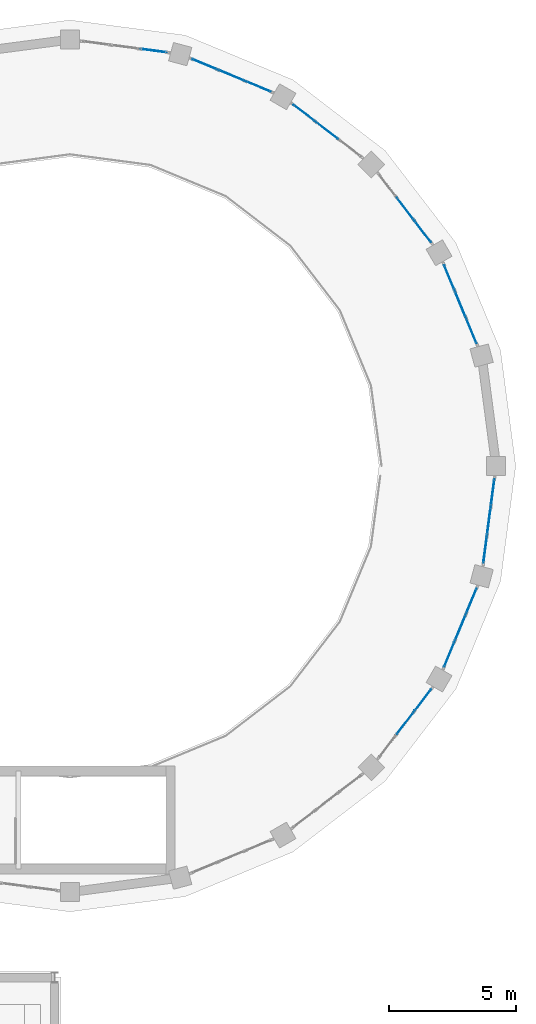
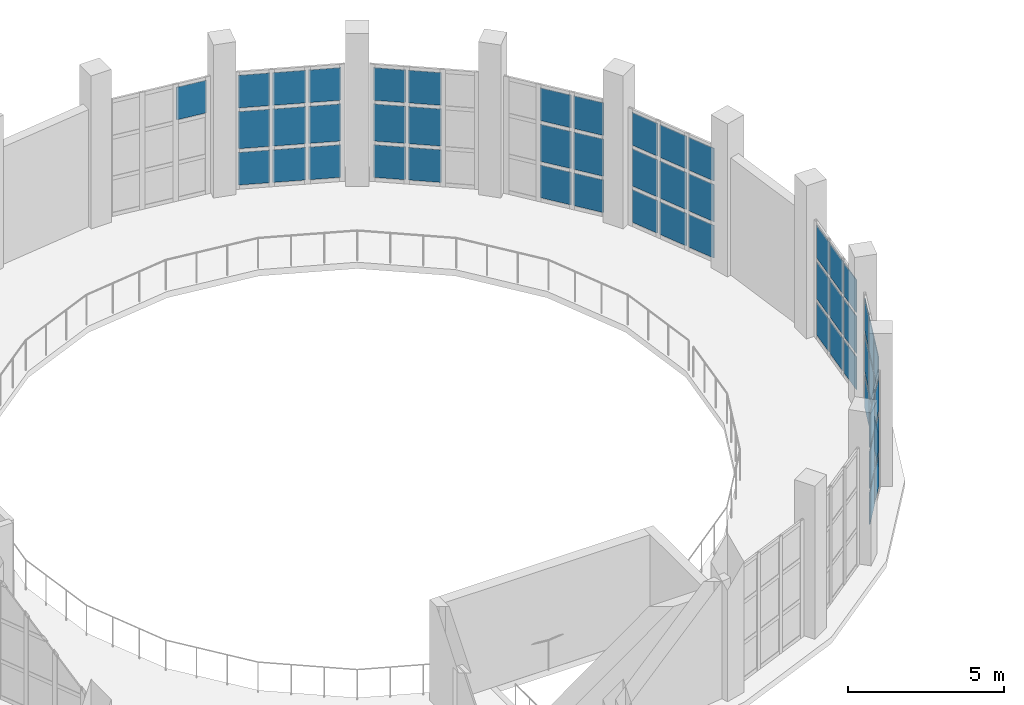
# One storey, part 39 of 59: 55 plates, 8 elements without a shape of their own.
"""IFC4 building model written with IfcOpenShell, lengths in metres."""

from ifc_helpers import new_model, si_unit, direction, frame, origin, origin_2d, place, context, subcontext, project, spatial, rectangle, extrude, material, layer, layer_set, type_object, element, aggregate, save


model = new_model("IFC4")

# Units and contexts
model_context = context("Model", 3, precision=1e-05, world=origin(), true_north=direction((0.0, 1.0)))
body_context = subcontext(model_context, "Body", "Model", "MODEL_VIEW")
ifc_project = project(units=[si_unit("LENGTHUNIT", "METRE"), si_unit("AREAUNIT", "SQUARE_METRE"), si_unit("VOLUMEUNIT", "CUBIC_METRE"), si_unit("PLANEANGLEUNIT", "RADIAN"), si_unit("MASSUNIT", "GRAM", prefix="KILO")], contexts=[model_context])

# Site, building, storey
site_placement = place(None, origin())
site = spatial("IfcSite", under=ifc_project, at=site_placement, CompositionType="ELEMENT")
building_placement = place(site_placement, origin())
building = spatial("IfcBuilding", under=site, at=building_placement, Name="Kandorven Conservatory and Botanical Research Centre", CompositionType="ELEMENT")
storey_placement = place(building_placement, frame((0.0, 0.0, 4.800048828125)))
storey = spatial("IfcBuildingStorey", under=building, at=storey_placement, Name="L01", CompositionType="ELEMENT", Elevation=4.800048828125)

# Curtain wall, plates
ifc_material_1 = material(Name="Bronze anodised thermally broken aluminium", Category="aluminium")
ifc_layer_1 = layer(ifc_material_1, 0.179931640625)
ifc_layer_set_1 = layer_set([ifc_layer_1], Name="Bronze anodised thermally broken aluminium")
curtain_wall_type = type_object("IfcCurtainWallType", Name="CW_Clerestory", PredefinedType="USERDEFINED", material=ifc_layer_set_1)
curtain_wall_1_placement = place(storey_placement, origin())
curtain_wall_1 = element("IfcCurtainWall", 1, at=curtain_wall_1_placement, inside=storey, type_object=curtain_wall_type, Name="Conservatory drum clerestory glazing CW-DRUM-L01-02", ObjectType="CLERESTORY GLAZING", PredefinedType="USERDEFINED")
ifc_material_2 = material(Name="Double-glazed solar-control low-E glass", Category="glass")
ifc_layer_2 = layer(ifc_material_2, 0.028076171875)
ifc_layer_set_2 = layer_set([ifc_layer_2], Name="Double-glazed solar-control low-E glass")
plate_type = type_object("IfcPlateType", Name="CW_Panel", PredefinedType="CURTAIN_PANEL", material=ifc_layer_set_2)
plate_1_placement = place(storey_placement, frame((103.44921875, 53.12646484375, 0.14990234375), z_axis=(0.0, 0.0, 1.0), x_axis=(-0.382668753353, 0.92388561262, 0.0)))
plate_1 = element("IfcPlate", 2, at=plate_1_placement, type_object=plate_type, Name="CW-02 panel 1.1", PredefinedType="CURTAIN_PANEL", context=body_context, shape_type="SweptSolid", body=[
    extrude(rectangle(XDim=1.044189453125, YDim=0.028076171875, at=origin_2d()), origin(), (0.0, 0.0, 1.0), 1.27490234375),
])
plate_2_placement = place(storey_placement, frame((103.44921875, 53.12646484375, 1.5751953125), z_axis=(0.0, 0.0, 1.0), x_axis=(-0.382668753353, 0.92388561262, 0.0)))
plate_2 = element("IfcPlate", 3, at=plate_2_placement, type_object=plate_type, Name="CW-02 panel 1.2", PredefinedType="CURTAIN_PANEL", context=body_context, shape_type="SweptSolid", body=[
    extrude(rectangle(XDim=1.044189453125, YDim=0.028076171875, at=origin_2d()), origin(), (0.0, 0.0, 1.0), 1.449951171875),
])
plate_3_placement = place(storey_placement, frame((103.44921875, 53.12646484375, 3.175048828125), z_axis=(0.0, 0.0, 1.0), x_axis=(-0.382668753353, 0.92388561262, 0.0)))
plate_3 = element("IfcPlate", 4, at=plate_3_placement, type_object=plate_type, Name="CW-02 panel 1.3", PredefinedType="CURTAIN_PANEL", context=body_context, shape_type="SweptSolid", body=[
    extrude(rectangle(XDim=1.044189453125, YDim=0.028076171875, at=origin_2d()), origin(), (0.0, 0.0, 1.0), 1.27490234375),
])
plate_4_placement = place(storey_placement, frame((103.01123046875, 54.18359375, 0.14990234375), z_axis=(0.0, 0.0, 1.0), x_axis=(-0.382668753353, 0.92388561262, 0.0)))
plate_4 = element("IfcPlate", 5, at=plate_4_placement, type_object=plate_type, Name="CW-02 panel 2.1", PredefinedType="CURTAIN_PANEL", context=body_context, shape_type="SweptSolid", body=[
    extrude(rectangle(XDim=1.083984375, YDim=0.028076171875, at=origin_2d()), origin(), (0.0, 0.0, 1.0), 1.27490234375),
])
plate_5_placement = place(storey_placement, frame((103.01123046875, 54.18359375, 1.5751953125), z_axis=(0.0, 0.0, 1.0), x_axis=(-0.382668753353, 0.92388561262, 0.0)))
plate_5 = element("IfcPlate", 6, at=plate_5_placement, type_object=plate_type, Name="CW-02 panel 2.2", PredefinedType="CURTAIN_PANEL", context=body_context, shape_type="SweptSolid", body=[
    extrude(rectangle(XDim=1.083984375, YDim=0.028076171875, at=origin_2d()), origin(), (0.0, 0.0, 1.0), 1.449951171875),
])
plate_6_placement = place(storey_placement, frame((103.01123046875, 54.18359375, 3.175048828125), z_axis=(0.0, 0.0, 1.0), x_axis=(-0.382668753353, 0.92388561262, 0.0)))
plate_6 = element("IfcPlate", 7, at=plate_6_placement, type_object=plate_type, Name="CW-02 panel 2.3", PredefinedType="CURTAIN_PANEL", context=body_context, shape_type="SweptSolid", body=[
    extrude(rectangle(XDim=1.083984375, YDim=0.028076171875, at=origin_2d()), origin(), (0.0, 0.0, 1.0), 1.27490234375),
])
plate_7_placement = place(storey_placement, frame((102.573486328125, 55.240478515625, 0.14990234375), z_axis=(0.0, 0.0, 1.0), x_axis=(-0.382668753353, 0.92388561262, 0.0)))
plate_7 = element("IfcPlate", 8, at=plate_7_placement, type_object=plate_type, Name="CW-02 panel 3.1", PredefinedType="CURTAIN_PANEL", context=body_context, shape_type="SweptSolid", body=[
    extrude(rectangle(XDim=1.044189453125, YDim=0.028076171875, at=origin_2d()), origin(), (0.0, 0.0, 1.0), 1.27490234375),
])
plate_8_placement = place(storey_placement, frame((102.573486328125, 55.240478515625, 1.5751953125), z_axis=(0.0, 0.0, 1.0), x_axis=(-0.382668753353, 0.92388561262, 0.0)))
plate_8 = element("IfcPlate", 9, at=plate_8_placement, type_object=plate_type, Name="CW-02 panel 3.2", PredefinedType="CURTAIN_PANEL", context=body_context, shape_type="SweptSolid", body=[
    extrude(rectangle(XDim=1.044189453125, YDim=0.028076171875, at=origin_2d()), origin(), (0.0, 0.0, 1.0), 1.449951171875),
])
plate_9_placement = place(storey_placement, frame((102.573486328125, 55.240478515625, 3.175048828125), z_axis=(0.0, 0.0, 1.0), x_axis=(-0.382668753353, 0.92388561262, 0.0)))
plate_9 = element("IfcPlate", 10, at=plate_9_placement, type_object=plate_type, Name="CW-02 panel 3.3", PredefinedType="CURTAIN_PANEL", context=body_context, shape_type="SweptSolid", body=[
    extrude(rectangle(XDim=1.044189453125, YDim=0.028076171875, at=origin_2d()), origin(), (0.0, 0.0, 1.0), 1.27490234375),
])
aggregate(curtain_wall_1, [plate_1, plate_2, plate_3, plate_4, plate_5, plate_6, plate_7, plate_8, plate_9])

curtain_wall_2_placement = place(storey_placement, origin())
curtain_wall_2 = element("IfcCurtainWall", 11, at=curtain_wall_2_placement, inside=storey, type_object=curtain_wall_type, Name="Conservatory drum clerestory glazing CW-DRUM-L01-03", ObjectType="CLERESTORY GLAZING", PredefinedType="USERDEFINED")
plate_10_placement = place(storey_placement, frame((101.530517578125, 57.047119140625, 0.14990234375), z_axis=(0.0, 0.0, 1.0), x_axis=(-0.608769331471, 0.793347276456, 0.0)))
plate_10 = element("IfcPlate", 12, at=plate_10_placement, type_object=plate_type, Name="CW-02 panel 1.1", PredefinedType="CURTAIN_PANEL", context=body_context, shape_type="SweptSolid", body=[
    extrude(rectangle(XDim=1.044189453125, YDim=0.028076171875, at=origin_2d()), origin(), (0.0, 0.0, 1.0), 1.27490234375),
])
plate_11_placement = place(storey_placement, frame((101.530517578125, 57.047119140625, 1.5751953125), z_axis=(0.0, 0.0, 1.0), x_axis=(-0.608769331471, 0.793347276456, 0.0)))
plate_11 = element("IfcPlate", 13, at=plate_11_placement, type_object=plate_type, Name="CW-02 panel 1.2", PredefinedType="CURTAIN_PANEL", context=body_context, shape_type="SweptSolid", body=[
    extrude(rectangle(XDim=1.044189453125, YDim=0.028076171875, at=origin_2d()), origin(), (0.0, 0.0, 1.0), 1.449951171875),
])
plate_12_placement = place(storey_placement, frame((101.530517578125, 57.047119140625, 3.175048828125), z_axis=(0.0, 0.0, 1.0), x_axis=(-0.608769331471, 0.793347276456, 0.0)))
plate_12 = element("IfcPlate", 14, at=plate_12_placement, type_object=plate_type, Name="CW-02 panel 1.3", PredefinedType="CURTAIN_PANEL", context=body_context, shape_type="SweptSolid", body=[
    extrude(rectangle(XDim=1.044189453125, YDim=0.028076171875, at=origin_2d()), origin(), (0.0, 0.0, 1.0), 1.27490234375),
])
plate_13_placement = place(storey_placement, frame((100.833984375, 57.954833984375, 0.14990234375), z_axis=(0.0, 0.0, 1.0), x_axis=(-0.608769331471, 0.793347276456, 0.0)))
plate_13 = element("IfcPlate", 15, at=plate_13_placement, type_object=plate_type, Name="CW-02 panel 2.1", PredefinedType="CURTAIN_PANEL", context=body_context, shape_type="SweptSolid", body=[
    extrude(rectangle(XDim=1.083984375, YDim=0.028076171875, at=origin_2d()), origin(), (0.0, 0.0, 1.0), 1.27490234375),
])
plate_14_placement = place(storey_placement, frame((100.833984375, 57.954833984375, 1.5751953125), z_axis=(0.0, 0.0, 1.0), x_axis=(-0.608769331471, 0.793347276456, 0.0)))
plate_14 = element("IfcPlate", 16, at=plate_14_placement, type_object=plate_type, Name="CW-02 panel 2.2", PredefinedType="CURTAIN_PANEL", context=body_context, shape_type="SweptSolid", body=[
    extrude(rectangle(XDim=1.083984375, YDim=0.028076171875, at=origin_2d()), origin(), (0.0, 0.0, 1.0), 1.449951171875),
])
plate_15_placement = place(storey_placement, frame((100.833984375, 57.954833984375, 3.175048828125), z_axis=(0.0, 0.0, 1.0), x_axis=(-0.608769331471, 0.793347276456, 0.0)))
plate_15 = element("IfcPlate", 17, at=plate_15_placement, type_object=plate_type, Name="CW-02 panel 2.3", PredefinedType="CURTAIN_PANEL", context=body_context, shape_type="SweptSolid", body=[
    extrude(rectangle(XDim=1.083984375, YDim=0.028076171875, at=origin_2d()), origin(), (0.0, 0.0, 1.0), 1.27490234375),
])
aggregate(curtain_wall_2, [plate_10, plate_11, plate_12, plate_13, plate_14, plate_15])

curtain_wall_3_placement = place(storey_placement, origin())
curtain_wall_3 = element("IfcCurtainWall", 18, at=curtain_wall_3_placement, inside=storey, type_object=curtain_wall_type, Name="Conservatory drum clerestory glazing CW-DRUM-L01-04", ObjectType="CLERESTORY GLAZING", PredefinedType="USERDEFINED")
plate_16_placement = place(storey_placement, frame((97.7548828125, 61.033935546875, 0.14990234375), z_axis=(0.0, 0.0, 1.0), x_axis=(-0.793347276456, 0.608769331471, 0.0)))
plate_16 = element("IfcPlate", 19, at=plate_16_placement, type_object=plate_type, Name="CW-02 panel 2.1", PredefinedType="CURTAIN_PANEL", context=body_context, shape_type="SweptSolid", body=[
    extrude(rectangle(XDim=1.083984375, YDim=0.028076171875, at=origin_2d()), origin(), (0.0, 0.0, 1.0), 1.27490234375),
])
plate_17_placement = place(storey_placement, frame((97.7548828125, 61.033935546875, 1.5751953125), z_axis=(0.0, 0.0, 1.0), x_axis=(-0.793347276456, 0.608769331471, 0.0)))
plate_17 = element("IfcPlate", 20, at=plate_17_placement, type_object=plate_type, Name="CW-02 panel 2.2", PredefinedType="CURTAIN_PANEL", context=body_context, shape_type="SweptSolid", body=[
    extrude(rectangle(XDim=1.083984375, YDim=0.028076171875, at=origin_2d()), origin(), (0.0, 0.0, 1.0), 1.449951171875),
])
plate_18_placement = place(storey_placement, frame((97.7548828125, 61.033935546875, 3.175048828125), z_axis=(0.0, 0.0, 1.0), x_axis=(-0.793347276456, 0.608769331471, 0.0)))
plate_18 = element("IfcPlate", 21, at=plate_18_placement, type_object=plate_type, Name="CW-02 panel 2.3", PredefinedType="CURTAIN_PANEL", context=body_context, shape_type="SweptSolid", body=[
    extrude(rectangle(XDim=1.083984375, YDim=0.028076171875, at=origin_2d()), origin(), (0.0, 0.0, 1.0), 1.27490234375),
])
plate_19_placement = place(storey_placement, frame((96.84716796875, 61.73046875, 0.14990234375), z_axis=(0.0, 0.0, 1.0), x_axis=(-0.793347276456, 0.608769331471, 0.0)))
plate_19 = element("IfcPlate", 22, at=plate_19_placement, type_object=plate_type, Name="CW-02 panel 3.1", PredefinedType="CURTAIN_PANEL", context=body_context, shape_type="SweptSolid", body=[
    extrude(rectangle(XDim=1.044189453125, YDim=0.028076171875, at=origin_2d()), origin(), (0.0, 0.0, 1.0), 1.27490234375),
])
plate_20_placement = place(storey_placement, frame((96.84716796875, 61.73046875, 1.5751953125), z_axis=(0.0, 0.0, 1.0), x_axis=(-0.793347276456, 0.608769331471, 0.0)))
plate_20 = element("IfcPlate", 23, at=plate_20_placement, type_object=plate_type, Name="CW-02 panel 3.2", PredefinedType="CURTAIN_PANEL", context=body_context, shape_type="SweptSolid", body=[
    extrude(rectangle(XDim=1.044189453125, YDim=0.028076171875, at=origin_2d()), origin(), (0.0, 0.0, 1.0), 1.449951171875),
])
plate_21_placement = place(storey_placement, frame((96.84716796875, 61.73046875, 3.175048828125), z_axis=(0.0, 0.0, 1.0), x_axis=(-0.793347276456, 0.608769331471, 0.0)))
plate_21 = element("IfcPlate", 24, at=plate_21_placement, type_object=plate_type, Name="CW-02 panel 3.3", PredefinedType="CURTAIN_PANEL", context=body_context, shape_type="SweptSolid", body=[
    extrude(rectangle(XDim=1.044189453125, YDim=0.028076171875, at=origin_2d()), origin(), (0.0, 0.0, 1.0), 1.27490234375),
])
aggregate(curtain_wall_3, [plate_16, plate_17, plate_18, plate_19, plate_20, plate_21])

curtain_wall_4_placement = place(storey_placement, origin())
curtain_wall_4 = element("IfcCurtainWall", 25, at=curtain_wall_4_placement, inside=storey, type_object=curtain_wall_type, Name="Conservatory drum clerestory glazing CW-DRUM-L01-05", ObjectType="CLERESTORY GLAZING", PredefinedType="USERDEFINED")
plate_22_placement = place(storey_placement, frame((95.04052734375, 62.7734375, 0.14990234375), z_axis=(0.0, 0.0, 1.0), x_axis=(-0.92388561262, 0.382668753353, 0.0)))
plate_22 = element("IfcPlate", 26, at=plate_22_placement, type_object=plate_type, Name="CW-02 panel 1.1", PredefinedType="CURTAIN_PANEL", context=body_context, shape_type="SweptSolid", body=[
    extrude(rectangle(XDim=1.044189453125, YDim=0.028076171875, at=origin_2d()), origin(), (0.0, 0.0, 1.0), 1.27490234375),
])
plate_23_placement = place(storey_placement, frame((95.04052734375, 62.7734375, 1.5751953125), z_axis=(0.0, 0.0, 1.0), x_axis=(-0.92388561262, 0.382668753353, 0.0)))
plate_23 = element("IfcPlate", 27, at=plate_23_placement, type_object=plate_type, Name="CW-02 panel 1.2", PredefinedType="CURTAIN_PANEL", context=body_context, shape_type="SweptSolid", body=[
    extrude(rectangle(XDim=1.044189453125, YDim=0.028076171875, at=origin_2d()), origin(), (0.0, 0.0, 1.0), 1.449951171875),
])
plate_24_placement = place(storey_placement, frame((95.04052734375, 62.7734375, 3.175048828125), z_axis=(0.0, 0.0, 1.0), x_axis=(-0.92388561262, 0.382668753353, 0.0)))
plate_24 = element("IfcPlate", 28, at=plate_24_placement, type_object=plate_type, Name="CW-02 panel 1.3", PredefinedType="CURTAIN_PANEL", context=body_context, shape_type="SweptSolid", body=[
    extrude(rectangle(XDim=1.044189453125, YDim=0.028076171875, at=origin_2d()), origin(), (0.0, 0.0, 1.0), 1.27490234375),
])
plate_25_placement = place(storey_placement, frame((93.983642578125, 63.211181640625, 0.14990234375), z_axis=(0.0, 0.0, 1.0), x_axis=(-0.92388561262, 0.382668753353, 0.0)))
plate_25 = element("IfcPlate", 29, at=plate_25_placement, type_object=plate_type, Name="CW-02 panel 2.1", PredefinedType="CURTAIN_PANEL", context=body_context, shape_type="SweptSolid", body=[
    extrude(rectangle(XDim=1.083984375, YDim=0.028076171875, at=origin_2d()), origin(), (0.0, 0.0, 1.0), 1.27490234375),
])
plate_26_placement = place(storey_placement, frame((93.983642578125, 63.211181640625, 1.5751953125), z_axis=(0.0, 0.0, 1.0), x_axis=(-0.92388561262, 0.382668753353, 0.0)))
plate_26 = element("IfcPlate", 30, at=plate_26_placement, type_object=plate_type, Name="CW-02 panel 2.2", PredefinedType="CURTAIN_PANEL", context=body_context, shape_type="SweptSolid", body=[
    extrude(rectangle(XDim=1.083984375, YDim=0.028076171875, at=origin_2d()), origin(), (0.0, 0.0, 1.0), 1.449951171875),
])
plate_27_placement = place(storey_placement, frame((93.983642578125, 63.211181640625, 3.175048828125), z_axis=(0.0, 0.0, 1.0), x_axis=(-0.92388561262, 0.382668753353, 0.0)))
plate_27 = element("IfcPlate", 31, at=plate_27_placement, type_object=plate_type, Name="CW-02 panel 2.3", PredefinedType="CURTAIN_PANEL", context=body_context, shape_type="SweptSolid", body=[
    extrude(rectangle(XDim=1.083984375, YDim=0.028076171875, at=origin_2d()), origin(), (0.0, 0.0, 1.0), 1.27490234375),
])
plate_28_placement = place(storey_placement, frame((92.926513671875, 63.649169921875, 0.14990234375), z_axis=(0.0, 0.0, 1.0), x_axis=(-0.92388561262, 0.382668753353, 0.0)))
plate_28 = element("IfcPlate", 32, at=plate_28_placement, type_object=plate_type, Name="CW-02 panel 3.1", PredefinedType="CURTAIN_PANEL", context=body_context, shape_type="SweptSolid", body=[
    extrude(rectangle(XDim=1.044189453125, YDim=0.028076171875, at=origin_2d()), origin(), (0.0, 0.0, 1.0), 1.27490234375),
])
plate_29_placement = place(storey_placement, frame((92.926513671875, 63.649169921875, 1.5751953125), z_axis=(0.0, 0.0, 1.0), x_axis=(-0.92388561262, 0.382668753353, 0.0)))
plate_29 = element("IfcPlate", 33, at=plate_29_placement, type_object=plate_type, Name="CW-02 panel 3.2", PredefinedType="CURTAIN_PANEL", context=body_context, shape_type="SweptSolid", body=[
    extrude(rectangle(XDim=1.044189453125, YDim=0.028076171875, at=origin_2d()), origin(), (0.0, 0.0, 1.0), 1.449951171875),
])
plate_30_placement = place(storey_placement, frame((92.926513671875, 63.649169921875, 3.175048828125), z_axis=(0.0, 0.0, 1.0), x_axis=(-0.92388561262, 0.382668753353, 0.0)))
plate_30 = element("IfcPlate", 34, at=plate_30_placement, type_object=plate_type, Name="CW-02 panel 3.3", PredefinedType="CURTAIN_PANEL", context=body_context, shape_type="SweptSolid", body=[
    extrude(rectangle(XDim=1.044189453125, YDim=0.028076171875, at=origin_2d()), origin(), (0.0, 0.0, 1.0), 1.27490234375),
])
aggregate(curtain_wall_4, [plate_22, plate_23, plate_24, plate_25, plate_26, plate_27, plate_28, plate_29, plate_30])

# Curtain wall, plate
curtain_wall_5_placement = place(storey_placement, origin())
curtain_wall_5 = element("IfcCurtainWall", 35, at=curtain_wall_5_placement, inside=storey, type_object=curtain_wall_type, Name="Conservatory drum clerestory glazing CW-DRUM-L01-06", ObjectType="CLERESTORY GLAZING", PredefinedType="USERDEFINED")
plate_31_placement = place(storey_placement, frame((90.91162109375, 64.18896484375, 3.175048828125), z_axis=(0.0, 0.0, 1.0), x_axis=(-0.991441424913, 0.130552292075, 0.0)))
plate_31 = element("IfcPlate", 36, at=plate_31_placement, type_object=plate_type, Name="CW-02 panel 1.3", PredefinedType="CURTAIN_PANEL", context=body_context, shape_type="SweptSolid", body=[
    extrude(rectangle(XDim=1.0439453125, YDim=0.028076171875, at=origin_2d()), origin(), (0.0, 0.0, 1.0), 1.27490234375),
])
aggregate(curtain_wall_5, [plate_31])

# Curtain wall, plates
curtain_wall_6_placement = place(storey_placement, origin())
curtain_wall_6 = element("IfcCurtainWall", 37, at=curtain_wall_6_placement, inside=storey, type_object=curtain_wall_type, Name="Conservatory drum clerestory glazing CW-DRUM-L01-22", ObjectType="CLERESTORY GLAZING", PredefinedType="USERDEFINED")
plate_32_placement = place(storey_placement, frame((100.833984375, 37.645263671875, 0.14990234375), z_axis=(0.0, 0.0, 1.0), x_axis=(0.608769331471, 0.793347276456, 0.0)))
plate_32 = element("IfcPlate", 38, at=plate_32_placement, type_object=plate_type, Name="CW-02 panel 2.1", PredefinedType="CURTAIN_PANEL", context=body_context, shape_type="SweptSolid", body=[
    extrude(rectangle(XDim=1.083984375, YDim=0.028076171875, at=origin_2d()), origin(), (0.0, 0.0, 1.0), 1.27490234375),
])
plate_33_placement = place(storey_placement, frame((100.833984375, 37.645263671875, 1.5751953125), z_axis=(0.0, 0.0, 1.0), x_axis=(0.608769331471, 0.793347276456, 0.0)))
plate_33 = element("IfcPlate", 39, at=plate_33_placement, type_object=plate_type, Name="CW-02 panel 2.2", PredefinedType="CURTAIN_PANEL", context=body_context, shape_type="SweptSolid", body=[
    extrude(rectangle(XDim=1.083984375, YDim=0.028076171875, at=origin_2d()), origin(), (0.0, 0.0, 1.0), 1.449951171875),
])
plate_34_placement = place(storey_placement, frame((100.833984375, 37.645263671875, 3.175048828125), z_axis=(0.0, 0.0, 1.0), x_axis=(0.608769331471, 0.793347276456, 0.0)))
plate_34 = element("IfcPlate", 40, at=plate_34_placement, type_object=plate_type, Name="CW-02 panel 2.3", PredefinedType="CURTAIN_PANEL", context=body_context, shape_type="SweptSolid", body=[
    extrude(rectangle(XDim=1.083984375, YDim=0.028076171875, at=origin_2d()), origin(), (0.0, 0.0, 1.0), 1.27490234375),
])
plate_35_placement = place(storey_placement, frame((101.530517578125, 38.552978515625, 0.14990234375), z_axis=(0.0, 0.0, 1.0), x_axis=(0.608769331471, 0.793347276456, 0.0)))
plate_35 = element("IfcPlate", 41, at=plate_35_placement, type_object=plate_type, Name="CW-02 panel 3.1", PredefinedType="CURTAIN_PANEL", context=body_context, shape_type="SweptSolid", body=[
    extrude(rectangle(XDim=1.044189453125, YDim=0.028076171875, at=origin_2d()), origin(), (0.0, 0.0, 1.0), 1.27490234375),
])
plate_36_placement = place(storey_placement, frame((101.530517578125, 38.552978515625, 1.5751953125), z_axis=(0.0, 0.0, 1.0), x_axis=(0.608769331471, 0.793347276456, 0.0)))
plate_36 = element("IfcPlate", 42, at=plate_36_placement, type_object=plate_type, Name="CW-02 panel 3.2", PredefinedType="CURTAIN_PANEL", context=body_context, shape_type="SweptSolid", body=[
    extrude(rectangle(XDim=1.044189453125, YDim=0.028076171875, at=origin_2d()), origin(), (0.0, 0.0, 1.0), 1.449951171875),
])
plate_37_placement = place(storey_placement, frame((101.530517578125, 38.552978515625, 3.175048828125), z_axis=(0.0, 0.0, 1.0), x_axis=(0.608769331471, 0.793347276456, 0.0)))
plate_37 = element("IfcPlate", 43, at=plate_37_placement, type_object=plate_type, Name="CW-02 panel 3.3", PredefinedType="CURTAIN_PANEL", context=body_context, shape_type="SweptSolid", body=[
    extrude(rectangle(XDim=1.044189453125, YDim=0.028076171875, at=origin_2d()), origin(), (0.0, 0.0, 1.0), 1.27490234375),
])
aggregate(curtain_wall_6, [plate_32, plate_33, plate_34, plate_35, plate_36, plate_37])

curtain_wall_7_placement = place(storey_placement, origin())
curtain_wall_7 = element("IfcCurtainWall", 44, at=curtain_wall_7_placement, inside=storey, type_object=curtain_wall_type, Name="Conservatory drum clerestory glazing CW-DRUM-L01-23", ObjectType="CLERESTORY GLAZING", PredefinedType="USERDEFINED")
plate_38_placement = place(storey_placement, frame((102.573486328125, 40.359375, 0.14990234375), z_axis=(0.0, 0.0, 1.0), x_axis=(0.382668753353, 0.92388561262, 0.0)))
plate_38 = element("IfcPlate", 45, at=plate_38_placement, type_object=plate_type, Name="CW-02 panel 1.1", PredefinedType="CURTAIN_PANEL", context=body_context, shape_type="SweptSolid", body=[
    extrude(rectangle(XDim=1.044189453125, YDim=0.028076171875, at=origin_2d()), origin(), (0.0, 0.0, 1.0), 1.27490234375),
])
plate_39_placement = place(storey_placement, frame((102.573486328125, 40.359375, 1.5751953125), z_axis=(0.0, 0.0, 1.0), x_axis=(0.382668753353, 0.92388561262, 0.0)))
plate_39 = element("IfcPlate", 46, at=plate_39_placement, type_object=plate_type, Name="CW-02 panel 1.2", PredefinedType="CURTAIN_PANEL", context=body_context, shape_type="SweptSolid", body=[
    extrude(rectangle(XDim=1.044189453125, YDim=0.028076171875, at=origin_2d()), origin(), (0.0, 0.0, 1.0), 1.449951171875),
])
plate_40_placement = place(storey_placement, frame((102.573486328125, 40.359375, 3.175048828125), z_axis=(0.0, 0.0, 1.0), x_axis=(0.382668753353, 0.92388561262, 0.0)))
plate_40 = element("IfcPlate", 47, at=plate_40_placement, type_object=plate_type, Name="CW-02 panel 1.3", PredefinedType="CURTAIN_PANEL", context=body_context, shape_type="SweptSolid", body=[
    extrude(rectangle(XDim=1.044189453125, YDim=0.028076171875, at=origin_2d()), origin(), (0.0, 0.0, 1.0), 1.27490234375),
])
plate_41_placement = place(storey_placement, frame((103.01123046875, 41.41650390625, 0.14990234375), z_axis=(0.0, 0.0, 1.0), x_axis=(0.382668753353, 0.92388561262, 0.0)))
plate_41 = element("IfcPlate", 48, at=plate_41_placement, type_object=plate_type, Name="CW-02 panel 2.1", PredefinedType="CURTAIN_PANEL", context=body_context, shape_type="SweptSolid", body=[
    extrude(rectangle(XDim=1.083984375, YDim=0.028076171875, at=origin_2d()), origin(), (0.0, 0.0, 1.0), 1.27490234375),
])
plate_42_placement = place(storey_placement, frame((103.01123046875, 41.41650390625, 1.5751953125), z_axis=(0.0, 0.0, 1.0), x_axis=(0.382668753353, 0.92388561262, 0.0)))
plate_42 = element("IfcPlate", 49, at=plate_42_placement, type_object=plate_type, Name="CW-02 panel 2.2", PredefinedType="CURTAIN_PANEL", context=body_context, shape_type="SweptSolid", body=[
    extrude(rectangle(XDim=1.083984375, YDim=0.028076171875, at=origin_2d()), origin(), (0.0, 0.0, 1.0), 1.449951171875),
])
plate_43_placement = place(storey_placement, frame((103.01123046875, 41.41650390625, 3.175048828125), z_axis=(0.0, 0.0, 1.0), x_axis=(0.382668753353, 0.92388561262, 0.0)))
plate_43 = element("IfcPlate", 50, at=plate_43_placement, type_object=plate_type, Name="CW-02 panel 2.3", PredefinedType="CURTAIN_PANEL", context=body_context, shape_type="SweptSolid", body=[
    extrude(rectangle(XDim=1.083984375, YDim=0.028076171875, at=origin_2d()), origin(), (0.0, 0.0, 1.0), 1.27490234375),
])
plate_44_placement = place(storey_placement, frame((103.44921875, 42.473388671875, 0.14990234375), z_axis=(0.0, 0.0, 1.0), x_axis=(0.382668753353, 0.92388561262, 0.0)))
plate_44 = element("IfcPlate", 51, at=plate_44_placement, type_object=plate_type, Name="CW-02 panel 3.1", PredefinedType="CURTAIN_PANEL", context=body_context, shape_type="SweptSolid", body=[
    extrude(rectangle(XDim=1.044189453125, YDim=0.028076171875, at=origin_2d()), origin(), (0.0, 0.0, 1.0), 1.27490234375),
])
plate_45_placement = place(storey_placement, frame((103.44921875, 42.473388671875, 1.5751953125), z_axis=(0.0, 0.0, 1.0), x_axis=(0.382668753353, 0.92388561262, 0.0)))
plate_45 = element("IfcPlate", 52, at=plate_45_placement, type_object=plate_type, Name="CW-02 panel 3.2", PredefinedType="CURTAIN_PANEL", context=body_context, shape_type="SweptSolid", body=[
    extrude(rectangle(XDim=1.044189453125, YDim=0.028076171875, at=origin_2d()), origin(), (0.0, 0.0, 1.0), 1.449951171875),
])
plate_46_placement = place(storey_placement, frame((103.44921875, 42.473388671875, 3.175048828125), z_axis=(0.0, 0.0, 1.0), x_axis=(0.382668753353, 0.92388561262, 0.0)))
plate_46 = element("IfcPlate", 53, at=plate_46_placement, type_object=plate_type, Name="CW-02 panel 3.3", PredefinedType="CURTAIN_PANEL", context=body_context, shape_type="SweptSolid", body=[
    extrude(rectangle(XDim=1.044189453125, YDim=0.028076171875, at=origin_2d()), origin(), (0.0, 0.0, 1.0), 1.27490234375),
])
aggregate(curtain_wall_7, [plate_38, plate_39, plate_40, plate_41, plate_42, plate_43, plate_44, plate_45, plate_46])

curtain_wall_8_placement = place(storey_placement, origin())
curtain_wall_8 = element("IfcCurtainWall", 54, at=curtain_wall_8_placement, inside=storey, type_object=curtain_wall_type, Name="Conservatory drum clerestory glazing CW-DRUM-L01-24", ObjectType="CLERESTORY GLAZING", PredefinedType="USERDEFINED")
plate_47_placement = place(storey_placement, frame((103.989013671875, 44.488525390625, 0.14990234375), z_axis=(0.0, 0.0, 1.0), x_axis=(0.130552292075, 0.991441424913, 0.0)))
plate_47 = element("IfcPlate", 55, at=plate_47_placement, type_object=plate_type, Name="CW-02 panel 1.1", PredefinedType="CURTAIN_PANEL", context=body_context, shape_type="SweptSolid", body=[
    extrude(rectangle(XDim=1.0439453125, YDim=0.028076171875, at=origin_2d()), origin(), (0.0, 0.0, 1.0), 1.27490234375),
])
plate_48_placement = place(storey_placement, frame((103.989013671875, 44.488525390625, 1.5751953125), z_axis=(0.0, 0.0, 1.0), x_axis=(0.130552292075, 0.991441424913, 0.0)))
plate_48 = element("IfcPlate", 56, at=plate_48_placement, type_object=plate_type, Name="CW-02 panel 1.2", PredefinedType="CURTAIN_PANEL", context=body_context, shape_type="SweptSolid", body=[
    extrude(rectangle(XDim=1.0439453125, YDim=0.028076171875, at=origin_2d()), origin(), (0.0, 0.0, 1.0), 1.449951171875),
])
plate_49_placement = place(storey_placement, frame((103.989013671875, 44.488525390625, 3.175048828125), z_axis=(0.0, 0.0, 1.0), x_axis=(0.130552292075, 0.991441424913, 0.0)))
plate_49 = element("IfcPlate", 57, at=plate_49_placement, type_object=plate_type, Name="CW-02 panel 1.3", PredefinedType="CURTAIN_PANEL", context=body_context, shape_type="SweptSolid", body=[
    extrude(rectangle(XDim=1.0439453125, YDim=0.028076171875, at=origin_2d()), origin(), (0.0, 0.0, 1.0), 1.27490234375),
])
plate_50_placement = place(storey_placement, frame((104.138427734375, 45.622802734375, 0.14990234375), z_axis=(0.0, 0.0, 1.0), x_axis=(0.130552292075, 0.991441424913, 0.0)))
plate_50 = element("IfcPlate", 58, at=plate_50_placement, type_object=plate_type, Name="CW-02 panel 2.1", PredefinedType="CURTAIN_PANEL", context=body_context, shape_type="SweptSolid", body=[
    extrude(rectangle(XDim=1.083984375, YDim=0.028076171875, at=origin_2d()), origin(), (0.0, 0.0, 1.0), 1.27490234375),
])
plate_51_placement = place(storey_placement, frame((104.138427734375, 45.622802734375, 1.5751953125), z_axis=(0.0, 0.0, 1.0), x_axis=(0.130552292075, 0.991441424913, 0.0)))
plate_51 = element("IfcPlate", 59, at=plate_51_placement, type_object=plate_type, Name="CW-02 panel 2.2", PredefinedType="CURTAIN_PANEL", context=body_context, shape_type="SweptSolid", body=[
    extrude(rectangle(XDim=1.083984375, YDim=0.028076171875, at=origin_2d()), origin(), (0.0, 0.0, 1.0), 1.449951171875),
])
plate_52_placement = place(storey_placement, frame((104.138427734375, 45.622802734375, 3.175048828125), z_axis=(0.0, 0.0, 1.0), x_axis=(0.130552292075, 0.991441424913, 0.0)))
plate_52 = element("IfcPlate", 60, at=plate_52_placement, type_object=plate_type, Name="CW-02 panel 2.3", PredefinedType="CURTAIN_PANEL", context=body_context, shape_type="SweptSolid", body=[
    extrude(rectangle(XDim=1.083984375, YDim=0.028076171875, at=origin_2d()), origin(), (0.0, 0.0, 1.0), 1.27490234375),
])
plate_53_placement = place(storey_placement, frame((104.28759765625, 46.7568359375, 0.14990234375), z_axis=(0.0, 0.0, 1.0), x_axis=(0.130552292075, 0.991441424913, 0.0)))
plate_53 = element("IfcPlate", 61, at=plate_53_placement, type_object=plate_type, Name="CW-02 panel 3.1", PredefinedType="CURTAIN_PANEL", context=body_context, shape_type="SweptSolid", body=[
    extrude(rectangle(XDim=1.0439453125, YDim=0.028076171875, at=origin_2d()), origin(), (0.0, 0.0, 1.0), 1.27490234375),
])
plate_54_placement = place(storey_placement, frame((104.28759765625, 46.7568359375, 1.5751953125), z_axis=(0.0, 0.0, 1.0), x_axis=(0.130552292075, 0.991441424913, 0.0)))
plate_54 = element("IfcPlate", 62, at=plate_54_placement, type_object=plate_type, Name="CW-02 panel 3.2", PredefinedType="CURTAIN_PANEL", context=body_context, shape_type="SweptSolid", body=[
    extrude(rectangle(XDim=1.0439453125, YDim=0.028076171875, at=origin_2d()), origin(), (0.0, 0.0, 1.0), 1.449951171875),
])
plate_55_placement = place(storey_placement, frame((104.28759765625, 46.7568359375, 3.175048828125), z_axis=(0.0, 0.0, 1.0), x_axis=(0.130552292075, 0.991441424913, 0.0)))
plate_55 = element("IfcPlate", 63, at=plate_55_placement, type_object=plate_type, Name="CW-02 panel 3.3", PredefinedType="CURTAIN_PANEL", context=body_context, shape_type="SweptSolid", body=[
    extrude(rectangle(XDim=1.0439453125, YDim=0.028076171875, at=origin_2d()), origin(), (0.0, 0.0, 1.0), 1.27490234375),
])
aggregate(curtain_wall_8, [plate_47, plate_48, plate_49, plate_50, plate_51, plate_52, plate_53, plate_54, plate_55])

save(model, "model.ifc")
